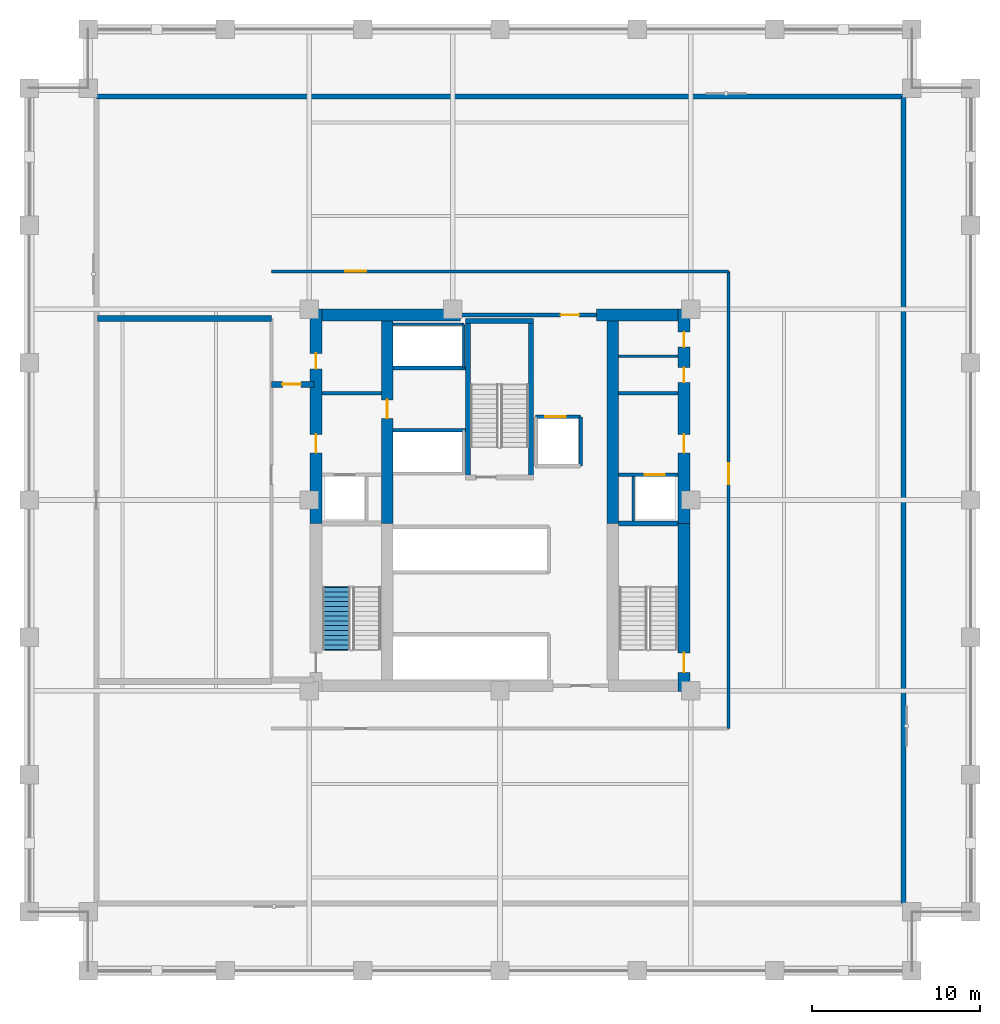
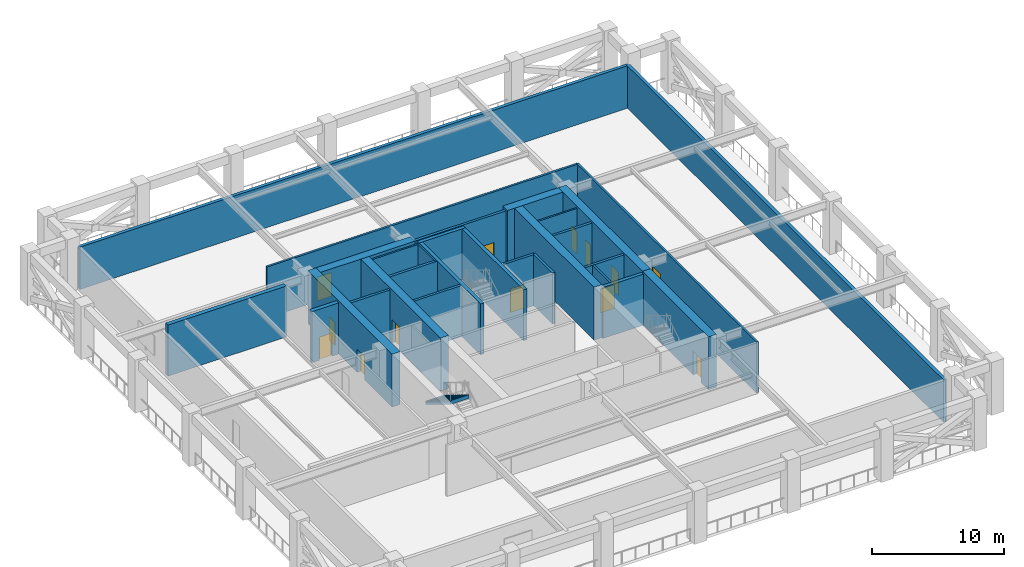
# One storey, part 3 of 11: 29 walls, 13 doors, 1 stair flight, 13 openings, 1 element without a shape of its own.
"""IFC4 building model written with IfcOpenShell, lengths in metres."""

from ifc_helpers import new_model, si_unit, direction, frame, frame_2d, origin, place, context, subcontext, project, spatial, polyline, rectangle, outline, extrude, material, layer, layer_set, type_object, element, fill, aggregate, save


model = new_model("IFC4")

# Units and contexts
model_context = context("Model", 3, precision=1e-05, world=origin(), true_north=direction((0.0, 1.0)))
body_context = subcontext(model_context, "Body", "Model", "MODEL_VIEW")
ifc_project = project(units=[si_unit("LENGTHUNIT", "METRE"), si_unit("AREAUNIT", "SQUARE_METRE"), si_unit("VOLUMEUNIT", "CUBIC_METRE"), si_unit("PLANEANGLEUNIT", "RADIAN"), si_unit("MASSUNIT", "GRAM", prefix="KILO")], contexts=[model_context])

# Site, building, storey
site_placement = place(None, origin())
site = spatial("IfcSite", under=ifc_project, at=site_placement, CompositionType="ELEMENT")
building_placement = place(site_placement, origin())
building = spatial("IfcBuilding", under=site, at=building_placement, Name="Nhamokura Convention Tower", CompositionType="ELEMENT")
storey_placement = place(building_placement, frame((0.0, 0.0, 77.35009765625)))
storey = spatial("IfcBuildingStorey", under=building, at=storey_placement, Name="L18", CompositionType="ELEMENT", Elevation=77.35009765625)

# Walls
ifc_material_1 = material(Name="Moisture-resistant tile-backer partition", Category="masonry")
ifc_layer_1 = layer(ifc_material_1, 0.139892578125)
ifc_layer_set_1 = layer_set([ifc_layer_1], Name="BathroomWetWall_140")
wall_type_1 = type_object("IfcWallType", Name="BathroomWetWall_140", PredefinedType="STANDARD", material=ifc_layer_set_1)
wall_1_placement = place(storey_placement, frame((39.06005859375, 40.550048828125, 0.0), z_axis=(0.0, 0.0, 1.0), x_axis=(1.0, 0.0, 0.0)))
element("IfcWall", 1, at=wall_1_placement, inside=storey, type_object=wall_type_1, Name="L18 Wall INT-L18-CWNE", PredefinedType="STANDARD", context=body_context, shape_type="SweptSolid", body=[
    extrude(rectangle(XDim=3.530029296875, YDim=0.139892578125, at=frame_2d((1.76513671875, 0.0))), origin(), (0.0, 0.0, 1.0), 4.719970703125),
])
ifc_material_2 = material(Name="Bronze-pigmented precast concrete C45/55", Category="concrete")
ifc_layer_2 = layer(ifc_material_2, 0.280029296875)
ifc_layer_set_2 = layer_set([ifc_layer_2], Name="BronzePrecastSpandrel_280")
wall_type_2 = type_object("IfcWallType", Name="BronzePrecastSpandrel_280", PredefinedType="USERDEFINED", material=ifc_layer_set_2)
for number, where, z_axis, x_axis, name in (
    (2, (56.0, 56.0, 0.0), (0.0, 0.0, 1.0), (0.0, -1.0, 0.0), "L18 Refuge Deck Enclosure Wall E"),
    (3, (8.0, 56.0, 0.0), (0.0, 0.0, 1.0), (1.0, 0.0, 0.0), "L18 Refuge Deck Enclosure Wall N"),
):
    element("IfcWall", number, at=place(storey_placement, frame(where, z_axis=z_axis, x_axis=x_axis)), inside=storey, type_object=wall_type_2, Name=name, ObjectType="SPANDREL_WALL", PredefinedType="USERDEFINED", context=body_context, shape_type="SweptSolid", body=[
        extrude(rectangle(XDim=48.0, YDim=0.280029296875, at=frame_2d((24.0, 0.0))), origin(), (0.0, 0.0, 1.0), 3.919921875),
    ])

# Wall, openings, doors
ifc_material_3 = material(Name="Concrete C70/85", Category="concrete")
ifc_layer_3 = layer(ifc_material_3, 0.699951171875)
ifc_layer_set_3 = layer_set([ifc_layer_3], Name="CoreShearWall_700")
wall_type_3 = type_object("IfcWallType", Name="CoreShearWall_700", PredefinedType="SHEAR", material=ifc_layer_set_3)
wall_2_placement = place(storey_placement, frame((21.06005859375, 30.60009765625, 0.0), z_axis=(0.0, 0.0, 1.0), x_axis=(0.0, 1.0, 0.0)))
wall_2 = element("IfcWall", 4, at=wall_2_placement, inside=storey, type_object=wall_type_3, Name="L18 Core Shear Wall CW-WN", PredefinedType="SHEAR", context=body_context, shape_type="SweptSolid", body=[
    extrude(rectangle(XDim=12.75, YDim=0.699951171875, at=frame_2d((6.375, 0.0))), origin(), (0.0, 0.0, 1.0), 4.89990234375),
])
opening_1_placement = place(wall_2_placement, frame((4.199951171875, 0.0, 0.0)))
opening_1 = element("IfcOpeningElement", 5, at=opening_1_placement, cuts=wall_2, Name="Opening D-05", PredefinedType="OPENING", context=body_context, shape_type="SweptSolid", body=[
    extrude(rectangle(XDim=1.10009765625, YDim=2.14990234375, at=frame_2d((0.550048828125, 1.074951171875))), frame((0.0, 0.35986328125, 0.0), z_axis=(0.0, -1.0, 0.0), x_axis=(1.0, 0.0, 0.0)), (0.0, 0.0, 1.0), 0.719970703125),
])
opening_2_placement = place(wall_2_placement, frame((9.199951171875, 0.0, 0.0)))
opening_2 = element("IfcOpeningElement", 6, at=opening_2_placement, cuts=wall_2, Name="Opening D-10", PredefinedType="OPENING", context=body_context, shape_type="SweptSolid", body=[
    extrude(rectangle(XDim=0.919921875, YDim=2.10009765625, at=frame_2d((0.4599609375, 1.050048828125))), frame((0.0, 0.35986328125, 0.0), z_axis=(0.0, -1.0, 0.0), x_axis=(1.0, 0.0, 0.0)), (0.0, 0.0, 1.0), 0.719970703125),
])
ifc_material_4 = material(Name="Solid oak hardwood", Category="wood")
door_type_1 = type_object("IfcDoorType", Name="AccessibleWCDoor_920", OperationType="NOTDEFINED", PredefinedType="DOOR", material=ifc_material_4)
door_1_placement = place(opening_2_placement, origin())
door_1 = element("IfcDoor", 7, at=door_1_placement, inside=storey, type_object=door_type_1, Name="L18 Core Door INT-L18-D-AWC", OperationType="SINGLE_SWING_LEFT", OverallHeight=2.10009765625, OverallWidth=0.919921875, PredefinedType="DOOR", context=body_context, shape_type="SweptSolid", body=[
    extrude(rectangle(XDim=0.919921875, YDim=2.10009765625, at=frame_2d((0.4599609375, 1.050048828125))), frame((0.0, 0.02490234375, 0.0), z_axis=(0.0, -1.0, 0.0), x_axis=(1.0, 0.0, 0.0)), (0.0, 0.0, 1.0), 0.050048828125),
])
fill(opening_2, door_1)
ifc_material_5 = material(Name="Fire-rated steel door", Category="steel")
door_type_2 = type_object("IfcDoorType", Name="FireLobbyDoor_1100", OperationType="NOTDEFINED", PredefinedType="DOOR", material=ifc_material_5)
door_2_placement = place(opening_1_placement, origin())
door_2 = element("IfcDoor", 8, at=door_2_placement, inside=storey, type_object=door_type_2, Name="L18 Core Door INT-L18-D-FFLW", OperationType="SINGLE_SWING_RIGHT", OverallHeight=2.14990234375, OverallWidth=1.10009765625, PredefinedType="DOOR", context=body_context, shape_type="SweptSolid", body=[
    extrude(rectangle(XDim=1.10009765625, YDim=2.14990234375, at=frame_2d((0.550048828125, 1.074951171875))), frame((0.0, 0.02490234375, 0.0), z_axis=(0.0, -1.0, 0.0), x_axis=(1.0, 0.0, 0.0)), (0.0, 0.0, 1.0), 0.050048828125),
])
fill(opening_1, door_2)

# Wall, opening, door
wall_3_placement = place(storey_placement, frame((42.93994140625, 20.60009765625, 0.0), z_axis=(0.0, 0.0, 1.0), x_axis=(0.0, 1.0, 0.0)))
wall_3 = element("IfcWall", 9, at=wall_3_placement, inside=storey, type_object=wall_type_3, Name="L18 Core Shear Wall CW-ES", PredefinedType="SHEAR", context=body_context, shape_type="SweptSolid", body=[
    extrude(rectangle(XDim=10.0, YDim=0.699951171875, at=frame_2d((5.0, 0.0))), origin(), (0.0, 0.0, 1.0), 4.89990234375),
])
opening_3_placement = place(wall_3_placement, frame((1.14990234375, 0.0, 0.0)))
opening_3 = element("IfcOpeningElement", 10, at=opening_3_placement, cuts=wall_3, Name="Opening D-04", PredefinedType="OPENING", context=body_context, shape_type="SweptSolid", body=[
    extrude(rectangle(XDim=1.14990234375, YDim=2.14990234375, at=frame_2d((0.574951171875, 1.074951171875))), frame((0.0, 0.35986328125, 0.0), z_axis=(0.0, -1.0, 0.0), x_axis=(1.0, 0.0, 0.0)), (0.0, 0.0, 1.0), 0.719970703125),
])
ifc_material_6 = material(Name="Fire-rated steel door", Category="steel")
door_type_3 = type_object("IfcDoorType", Name="StairSmokeDoor_1150", OperationType="NOTDEFINED", PredefinedType="DOOR", material=ifc_material_6)
door_3_placement = place(opening_3_placement, origin())
door_3 = element("IfcDoor", 11, at=door_3_placement, inside=storey, type_object=door_type_3, Name="L18 Core Door INT-L18-D-ST02", OperationType="SINGLE_SWING_RIGHT", OverallHeight=2.14990234375, OverallWidth=1.14990234375, PredefinedType="DOOR", context=body_context, shape_type="SweptSolid", body=[
    extrude(rectangle(XDim=1.14990234375, YDim=2.14990234375, at=frame_2d((0.574951171875, 1.074951171875))), frame((0.0, 0.02490234375, 0.0), z_axis=(0.0, -1.0, 0.0), x_axis=(1.0, 0.0, 0.0)), (0.0, 0.0, 1.0), 0.050048828125),
])
fill(opening_3, door_3)

# Wall, openings, doors
wall_4_placement = place(storey_placement, frame((42.93994140625, 30.60009765625, 0.0), z_axis=(0.0, 0.0, 1.0), x_axis=(0.0, 1.0, 0.0)))
wall_4 = element("IfcWall", 12, at=wall_4_placement, inside=storey, type_object=wall_type_3, Name="L18 Core Shear Wall CW-EN", PredefinedType="SHEAR", context=body_context, shape_type="SweptSolid", body=[
    extrude(rectangle(XDim=12.75, YDim=0.699951171875, at=frame_2d((6.375, 0.0))), origin(), (0.0, 0.0, 1.0), 4.89990234375),
])
opening_4_placement = place(wall_4_placement, frame((4.199951171875, 0.0, 0.0)))
opening_4 = element("IfcOpeningElement", 13, at=opening_4_placement, cuts=wall_4, Name="Opening D-05", PredefinedType="OPENING", context=body_context, shape_type="SweptSolid", body=[
    extrude(rectangle(XDim=1.10009765625, YDim=2.14990234375, at=frame_2d((0.550048828125, 1.074951171875))), frame((0.0, 0.35986328125, 0.0), z_axis=(0.0, -1.0, 0.0), x_axis=(1.0, 0.0, 0.0)), (0.0, 0.0, 1.0), 0.719970703125),
])
opening_5_placement = place(wall_4_placement, frame((8.39990234375, 0.0, 0.0)))
opening_5 = element("IfcOpeningElement", 14, at=opening_5_placement, cuts=wall_4, Name="Opening D-11", PredefinedType="OPENING", context=body_context, shape_type="SweptSolid", body=[
    extrude(rectangle(XDim=0.8798828125, YDim=2.10009765625, at=frame_2d((0.43994140625, 1.050048828125))), frame((0.0, 0.35986328125, 0.0), z_axis=(0.0, -1.0, 0.0), x_axis=(1.0, 0.0, 0.0)), (0.0, 0.0, 1.0), 0.719970703125),
])
opening_6_placement = place(wall_4_placement, frame((10.5, 0.0, 0.0)))
opening_6 = element("IfcOpeningElement", 15, at=opening_6_placement, cuts=wall_4, Name="Opening D-11", PredefinedType="OPENING", context=body_context, shape_type="SweptSolid", body=[
    extrude(rectangle(XDim=0.8798828125, YDim=2.10009765625, at=frame_2d((0.43994140625, 1.050048828125))), frame((0.0, 0.35986328125, 0.0), z_axis=(0.0, -1.0, 0.0), x_axis=(1.0, 0.0, 0.0)), (0.0, 0.0, 1.0), 0.719970703125),
])
ifc_material_7 = material(Name="Solid oak hardwood", Category="wood")
door_type_4 = type_object("IfcDoorType", Name="BathroomDoor_880", OperationType="NOTDEFINED", PredefinedType="DOOR", material=ifc_material_7)
door_4_placement = place(opening_5_placement, origin())
door_4 = element("IfcDoor", 16, at=door_4_placement, inside=storey, type_object=door_type_4, Name="L18 Core Door INT-L18-D-MWC", OperationType="SINGLE_SWING_RIGHT", OverallHeight=2.10009765625, OverallWidth=0.8798828125, PredefinedType="DOOR", context=body_context, shape_type="SweptSolid", body=[
    extrude(rectangle(XDim=0.8798828125, YDim=2.10009765625, at=frame_2d((0.43994140625, 1.050048828125))), frame((0.0, 0.02490234375, 0.0), z_axis=(0.0, -1.0, 0.0), x_axis=(1.0, 0.0, 0.0)), (0.0, 0.0, 1.0), 0.050048828125),
])
fill(opening_5, door_4)
door_5_placement = place(opening_6_placement, origin())
door_5 = element("IfcDoor", 17, at=door_5_placement, inside=storey, type_object=door_type_4, Name="L18 Core Door INT-L18-D-FWC", OperationType="SINGLE_SWING_LEFT", OverallHeight=2.10009765625, OverallWidth=0.8798828125, PredefinedType="DOOR", context=body_context, shape_type="SweptSolid", body=[
    extrude(rectangle(XDim=0.8798828125, YDim=2.10009765625, at=frame_2d((0.43994140625, 1.050048828125))), frame((0.0, 0.02490234375, 0.0), z_axis=(0.0, -1.0, 0.0), x_axis=(1.0, 0.0, 0.0)), (0.0, 0.0, 1.0), 0.050048828125),
])
fill(opening_6, door_5)
door_6_placement = place(opening_4_placement, origin())
door_6 = element("IfcDoor", 18, at=door_6_placement, inside=storey, type_object=door_type_2, Name="L18 Core Door INT-L18-D-FFLE", OperationType="SINGLE_SWING_LEFT", OverallHeight=2.14990234375, OverallWidth=1.10009765625, PredefinedType="DOOR", context=body_context, shape_type="SweptSolid", body=[
    extrude(rectangle(XDim=1.10009765625, YDim=2.14990234375, at=frame_2d((0.550048828125, 1.074951171875))), frame((0.0, 0.02490234375, 0.0), z_axis=(0.0, -1.0, 0.0), x_axis=(1.0, 0.0, 0.0)), (0.0, 0.0, 1.0), 0.050048828125),
])
fill(opening_4, door_6)

# Walls
wall_5_placement = place(storey_placement, frame((21.409912109375, 43.0, 0.0), z_axis=(0.0, 0.0, 1.0), x_axis=(1.0, 0.0, 0.0)))
element("IfcWall", 19, at=wall_5_placement, inside=storey, type_object=wall_type_3, Name="L18 Core Shear Wall CW-N1", PredefinedType="SHEAR", context=body_context, shape_type="SweptSolid", body=[
    extrude(rectangle(XDim=8.239990234375, YDim=0.699951171875, at=frame_2d((4.1201171875, 0.0))), origin(), (0.0, 0.0, 1.0), 4.89990234375),
])
wall_6_placement = place(storey_placement, frame((37.75, 43.0, 0.0), z_axis=(0.0, 0.0, 1.0), x_axis=(1.0, 0.0, 0.0)))
element("IfcWall", 20, at=wall_6_placement, inside=storey, type_object=wall_type_3, Name="L18 Core Shear Wall CW-N2", PredefinedType="SHEAR", context=body_context, shape_type="SweptSolid", body=[
    extrude(rectangle(XDim=4.840087890625, YDim=0.699951171875, at=frame_2d((2.419921875, 0.0))), origin(), (0.0, 0.0, 1.0), 4.89990234375),
])

# Wall, opening, door
wall_7_placement = place(storey_placement, frame((25.2900390625, 30.60009765625, 0.0), z_axis=(0.0, 0.0, 1.0), x_axis=(0.0, 1.0, 0.0)))
wall_7 = element("IfcWall", 21, at=wall_7_placement, inside=storey, type_object=wall_type_3, Name="L18 Core Shear Wall CW-IWN", PredefinedType="SHEAR", context=body_context, shape_type="SweptSolid", body=[
    extrude(rectangle(XDim=12.0498046875, YDim=0.699951171875, at=frame_2d((6.02490234375, 0.0))), origin(), (0.0, 0.0, 1.0), 4.89990234375),
])
opening_7_placement = place(wall_7_placement, frame((6.25, 0.0, 0.0)))
opening_7 = element("IfcOpeningElement", 22, at=opening_7_placement, cuts=wall_7, Name="Opening D-05", PredefinedType="OPENING", context=body_context, shape_type="SweptSolid", body=[
    extrude(rectangle(XDim=1.10009765625, YDim=2.14990234375, at=frame_2d((0.550048828125, 1.074951171875))), frame((0.0, 0.35986328125, 0.0), z_axis=(0.0, -1.0, 0.0), x_axis=(1.0, 0.0, 0.0)), (0.0, 0.0, 1.0), 0.719970703125),
])
door_7_placement = place(opening_7_placement, origin())
door_7 = element("IfcDoor", 23, at=door_7_placement, inside=storey, type_object=door_type_2, Name="L18 Core Door INT-L18-D-B3LOB", OperationType="SINGLE_SWING_LEFT", OverallHeight=2.14990234375, OverallWidth=1.10009765625, PredefinedType="DOOR", context=body_context, shape_type="SweptSolid", body=[
    extrude(rectangle(XDim=1.10009765625, YDim=2.14990234375, at=frame_2d((0.550048828125, 1.074951171875))), frame((0.0, 0.02490234375, 0.0), z_axis=(0.0, -1.0, 0.0), x_axis=(1.0, 0.0, 0.0)), (0.0, 0.0, 1.0), 0.050048828125),
])
fill(opening_7, door_7)

# Wall
wall_8_placement = place(storey_placement, frame((38.7099609375, 30.60009765625, 0.0), z_axis=(0.0, 0.0, 1.0), x_axis=(0.0, 1.0, 0.0)))
element("IfcWall", 24, at=wall_8_placement, inside=storey, type_object=wall_type_3, Name="L18 Core Shear Wall CW-IEN", PredefinedType="SHEAR", context=body_context, shape_type="SweptSolid", body=[
    extrude(rectangle(XDim=12.0498046875, YDim=0.699951171875, at=frame_2d((6.02490234375, 0.0))), origin(), (0.0, 0.0, 1.0), 4.89990234375),
])

# Wall, opening, door
ifc_material_8 = material(Name="Fire-rated gypsum and masonry partition", Category="masonry")
ifc_layer_4 = layer(ifc_material_8, 0.179931640625)
ifc_layer_set_4 = layer_set([ifc_layer_4], Name="CorridorRatedWall_180")
wall_type_4 = type_object("IfcWallType", Name="CorridorRatedWall_180", PredefinedType="STANDARD", material=ifc_layer_set_4)
wall_9_placement = place(storey_placement, frame((18.39990234375, 45.60009765625, 0.0), z_axis=(0.0, 0.0, 1.0), x_axis=(1.0, 0.0, 0.0)))
wall_9 = element("IfcWall", 25, at=wall_9_placement, inside=storey, type_object=wall_type_4, Name="L18 Wall INT-L18-CW-N00", PredefinedType="STANDARD", context=body_context, shape_type="SweptSolid", body=[
    extrude(rectangle(XDim=27.2001953125, YDim=0.179931640625, at=frame_2d((13.60009765625, 0.0))), origin(), (0.0, 0.0, 1.0), 4.719970703125),
])
opening_8_placement = place(wall_9_placement, frame((4.39990234375, 0.0, 0.0)))
opening_8 = element("IfcOpeningElement", 26, at=opening_8_placement, cuts=wall_9, Name="Opening D-12", PredefinedType="OPENING", context=body_context, shape_type="SweptSolid", body=[
    extrude(rectangle(XDim=1.25, YDim=2.199951171875, at=frame_2d((0.625, 1.10009765625))), frame((0.0, 0.099853515625, 0.0), z_axis=(0.0, -1.0, 0.0), x_axis=(1.0, 0.0, 0.0)), (0.0, 0.0, 1.0), 0.199951171875),
])
ifc_material_9 = material(Name="Fire-rated steel door", Category="steel")
door_type_5 = type_object("IfcDoorType", Name="PlantServiceDoor_1250", OperationType="NOTDEFINED", PredefinedType="DOOR", material=ifc_material_9)
door_8_placement = place(opening_8_placement, origin())
door_8 = element("IfcDoor", 27, at=door_8_placement, inside=storey, type_object=door_type_5, Name="L18 High-Altitude AHU Plant N01 Door", OperationType="SINGLE_SWING_LEFT", OverallHeight=2.199951171875, OverallWidth=1.25, PredefinedType="DOOR", context=body_context, shape_type="SweptSolid", body=[
    extrude(rectangle(XDim=1.25, YDim=2.199951171875, at=frame_2d((0.625, 1.10009765625))), frame((0.0, 0.02490234375, 0.0), z_axis=(0.0, -1.0, 0.0), x_axis=(1.0, 0.0, 0.0)), (0.0, 0.0, 1.0), 0.050048828125),
])
fill(opening_8, door_8)

wall_10_placement = place(storey_placement, frame((45.60009765625, 18.39990234375, 0.0), z_axis=(0.0, 0.0, 1.0), x_axis=(0.0, 1.0, 0.0)))
wall_10 = element("IfcWall", 28, at=wall_10_placement, inside=storey, type_object=wall_type_4, Name="L18 Wall INT-L18-CW-E00", PredefinedType="STANDARD", context=body_context, shape_type="SweptSolid", body=[
    extrude(rectangle(XDim=27.2001953125, YDim=0.179931640625, at=frame_2d((13.60009765625, 0.0))), origin(), (0.0, 0.0, 1.0), 4.719970703125),
])
opening_9_placement = place(wall_10_placement, frame((14.550048828125, 0.0, 0.0)))
opening_9 = element("IfcOpeningElement", 29, at=opening_9_placement, cuts=wall_10, Name="Opening D-12", PredefinedType="OPENING", context=body_context, shape_type="SweptSolid", body=[
    extrude(rectangle(XDim=1.25, YDim=2.199951171875, at=frame_2d((0.625, 1.10009765625))), frame((0.0, 0.099853515625, 0.0), z_axis=(0.0, -1.0, 0.0), x_axis=(1.0, 0.0, 0.0)), (0.0, 0.0, 1.0), 0.199951171875),
])
door_9_placement = place(opening_9_placement, origin())
door_9 = element("IfcDoor", 30, at=door_9_placement, inside=storey, type_object=door_type_5, Name="L18 Chilled-Water Heat Exchanger Plant E01 Door", OperationType="SINGLE_SWING_LEFT", OverallHeight=2.199951171875, OverallWidth=1.25, PredefinedType="DOOR", context=body_context, shape_type="SweptSolid", body=[
    extrude(rectangle(XDim=1.25, YDim=2.199951171875, at=frame_2d((0.625, 1.10009765625))), frame((0.0, 0.02490234375, 0.0), z_axis=(0.0, -1.0, 0.0), x_axis=(1.0, 0.0, 0.0)), (0.0, 0.0, 1.0), 0.050048828125),
])
fill(opening_9, door_9)

ifc_material_10 = material(Name="Autoclaved concrete blockwork", Category="masonry")
ifc_layer_5 = layer(ifc_material_10, 0.219970703125)
ifc_layer_set_5 = layer_set([ifc_layer_5], Name="FireLobbyWall_220")
wall_type_5 = type_object("IfcWallType", Name="FireLobbyWall_220", PredefinedType="STANDARD", material=ifc_layer_set_5)
wall_11_placement = place(storey_placement, frame((39.06005859375, 33.5, 0.0), z_axis=(0.0, 0.0, 1.0), x_axis=(1.0, 0.0, 0.0)))
wall_11 = element("IfcWall", 31, at=wall_11_placement, inside=storey, type_object=wall_type_5, Name="L18 Wall INT-L18-FFE-S", PredefinedType="STANDARD", context=body_context, shape_type="SweptSolid", body=[
    extrude(rectangle(XDim=3.530029296875, YDim=0.219970703125, at=frame_2d((1.76513671875, 0.0))), origin(), (0.0, 0.0, 1.0), 4.719970703125),
])
opening_10_placement = place(wall_11_placement, frame((1.550048828125, 0.0, 0.0)))
opening_10 = element("IfcOpeningElement", 32, at=opening_10_placement, cuts=wall_11, Name="Opening LD-02", PredefinedType="OPENING", context=body_context, shape_type="SweptSolid", body=[
    extrude(rectangle(XDim=1.199951171875, YDim=2.199951171875, at=frame_2d((0.60009765625, 1.10009765625))), frame((0.0, 0.119873046875, 0.0), z_axis=(0.0, -1.0, 0.0), x_axis=(1.0, 0.0, 0.0)), (0.0, 0.0, 1.0), 0.239990234375),
])
ifc_material_11 = material(Name="Anodised bronze stainless steel", Category="steel")
door_type_6 = type_object("IfcDoorType", Name="LiftLandingDoor_FireService", OperationType="DOUBLE_DOOR_SLIDING", PredefinedType="DOOR", material=ifc_material_11)
door_10_placement = place(opening_10_placement, origin())
door_10 = element("IfcDoor", 33, at=door_10_placement, inside=storey, type_object=door_type_6, Name="L18 Firefighting Lift LF-02 Door", OperationType="DOUBLE_DOOR_SLIDING", OverallHeight=2.199951171875, OverallWidth=1.199951171875, PredefinedType="DOOR", context=body_context, shape_type="SweptSolid", body=[
    extrude(rectangle(XDim=1.199951171875, YDim=2.199951171875, at=frame_2d((0.60009765625, 1.10009765625))), frame((0.0, 0.02490234375, 0.0), z_axis=(0.0, -1.0, 0.0), x_axis=(1.0, 0.0, 0.0)), (0.0, 0.0, 1.0), 0.050048828125),
])
fill(opening_10, door_10)

# Walls
for number, where, z_axis, x_axis, name in (
    (34, (21.409912109375, 38.35009765625, 0.0), (0.0, 0.0, 1.0), (1.0, 0.0, 0.0), "L18 Wall INT-L18-FFW-N"),
    (35, (39.06005859375, 38.35009765625, 0.0), (0.0, 0.0, 1.0), (1.0, 0.0, 0.0), "L18 Wall INT-L18-FFE-N"),
):
    element("IfcWall", number, at=place(storey_placement, frame(where, z_axis=z_axis, x_axis=x_axis)), inside=storey, type_object=wall_type_5, Name=name, PredefinedType="STANDARD", context=body_context, shape_type="SweptSolid", body=[
        extrude(rectangle(XDim=3.530029296875, YDim=0.219970703125, at=frame_2d((1.76513671875, 0.0))), origin(), (0.0, 0.0, 1.0), 4.719970703125),
    ])
for number, where, z_axis, x_axis, name in (
    (36, (25.64990234375, 36.14990234375, 0.0), (0.0, 0.0, 1.0), (1.0, 0.0, 0.0), "L18 Wall INT-L18-B3S"),
    (37, (25.64990234375, 39.85009765625, 0.0), (0.0, 0.0, 1.0), (1.0, 0.0, 0.0), "L18 Wall INT-L18-B3N"),
):
    element("IfcWall", number, at=place(storey_placement, frame(where, z_axis=z_axis, x_axis=x_axis)), inside=storey, type_object=wall_type_5, Name=name, PredefinedType="STANDARD", context=body_context, shape_type="SweptSolid", body=[
        extrude(rectangle(XDim=4.300048828125, YDim=0.219970703125, at=frame_2d((2.14990234375, 0.0))), origin(), (0.0, 0.0, 1.0), 4.719970703125),
    ])

# Wall, opening, door
wall_12_placement = place(storey_placement, frame((29.64990234375, 43.0, 0.0), z_axis=(0.0, 0.0, 1.0), x_axis=(1.0, 0.0, 0.0)))
wall_12 = element("IfcWall", 38, at=wall_12_placement, inside=storey, type_object=wall_type_5, Name="L18 Wall INT-L18-CPORT-N", PredefinedType="STANDARD", context=body_context, shape_type="SweptSolid", body=[
    extrude(rectangle(XDim=8.10009765625, YDim=0.219970703125, at=frame_2d((4.050048828125, 0.0))), origin(), (0.0, 0.0, 1.0), 4.719970703125),
])
opening_11_placement = place(wall_12_placement, frame((5.949951171875, 0.0, 0.0)))
opening_11 = element("IfcOpeningElement", 39, at=opening_11_placement, cuts=wall_12, Name="Opening D-05", PredefinedType="OPENING", context=body_context, shape_type="SweptSolid", body=[
    extrude(rectangle(XDim=1.10009765625, YDim=2.14990234375, at=frame_2d((0.550048828125, 1.074951171875))), frame((0.0, 0.119873046875, 0.0), z_axis=(0.0, -1.0, 0.0), x_axis=(1.0, 0.0, 0.0)), (0.0, 0.0, 1.0), 0.239990234375),
])
door_11_placement = place(opening_11_placement, origin())
door_11 = element("IfcDoor", 40, at=door_11_placement, inside=storey, type_object=door_type_2, Name="L18 North Core Lobby Portal Door", OperationType="SINGLE_SWING_RIGHT", OverallHeight=2.14990234375, OverallWidth=1.10009765625, PredefinedType="DOOR", context=body_context, shape_type="SweptSolid", body=[
    extrude(rectangle(XDim=1.10009765625, YDim=2.14990234375, at=frame_2d((0.550048828125, 1.074951171875))), frame((0.0, 0.02490234375, 0.0), z_axis=(0.0, -1.0, 0.0), x_axis=(1.0, 0.0, 0.0)), (0.0, 0.0, 1.0), 0.050048828125),
])
fill(opening_11, door_11)

wall_13_placement = place(storey_placement, frame((34.1201171875, 36.949951171875, 0.0), z_axis=(0.0, 0.0, 1.0), x_axis=(1.0, 0.0, 0.0)))
wall_13 = element("IfcWall", 41, at=wall_13_placement, inside=storey, type_object=wall_type_5, Name="L18 Wall INT-L18-LSN", PredefinedType="STANDARD", context=body_context, shape_type="SweptSolid", body=[
    extrude(rectangle(XDim=2.679931640625, YDim=0.219970703125, at=frame_2d((1.33984375, 0.0))), origin(), (0.0, 0.0, 1.0), 4.719970703125),
])
opening_12_placement = place(wall_13_placement, frame((0.580078125, 0.0, 0.0)))
opening_12 = element("IfcOpeningElement", 42, at=opening_12_placement, cuts=wall_13, Name="Opening LD-02", PredefinedType="OPENING", context=body_context, shape_type="SweptSolid", body=[
    extrude(rectangle(XDim=1.199951171875, YDim=2.199951171875, at=frame_2d((0.60009765625, 1.10009765625))), frame((0.0, 0.119873046875, 0.0), z_axis=(0.0, -1.0, 0.0), x_axis=(1.0, 0.0, 0.0)), (0.0, 0.0, 1.0), 0.239990234375),
])
door_12_placement = place(opening_12_placement, origin())
door_12 = element("IfcDoor", 43, at=door_12_placement, inside=storey, type_object=door_type_6, Name="L18 Service Lift LS-01 Door", OperationType="DOUBLE_DOOR_SLIDING", OverallHeight=2.199951171875, OverallWidth=1.199951171875, PredefinedType="DOOR", context=body_context, shape_type="SweptSolid", body=[
    extrude(rectangle(XDim=1.199951171875, YDim=2.199951171875, at=frame_2d((0.60009765625, 1.10009765625))), frame((0.0, 0.02490234375, 0.0), z_axis=(0.0, -1.0, 0.0), x_axis=(1.0, 0.0, 0.0)), (0.0, 0.0, 1.0), 0.050048828125),
])
fill(opening_12, door_12)

# Wall
wall_14_placement = place(storey_placement, frame((36.800048828125, 34.02001953125, 0.0), z_axis=(0.0, 0.0, 1.0), x_axis=(0.0, 1.0, 0.0)))
element("IfcWall", 44, at=wall_14_placement, inside=storey, type_object=wall_type_5, Name="L18 Wall INT-L18-LSE", PredefinedType="STANDARD", context=body_context, shape_type="SweptSolid", body=[
    extrude(rectangle(XDim=2.929931640625, YDim=0.219970703125, at=frame_2d((1.46484375, 0.0))), origin(), (0.0, 0.0, 1.0), 4.719970703125),
])

# Wall, opening, door
ifc_material_12 = material(Name="Concrete C50/60", Category="concrete")
ifc_layer_6 = layer(ifc_material_12, 0.35009765625)
ifc_layer_set_6 = layer_set([ifc_layer_6], Name="FirewallPlant_350")
wall_type_6 = type_object("IfcWallType", Name="FirewallPlant_350", PredefinedType="STANDARD", material=ifc_layer_set_6)
wall_15_placement = place(storey_placement, frame((18.39990234375, 38.8798828125, 0.0), z_axis=(0.0, 0.0, 1.0), x_axis=(1.0, 0.0, 0.0)))
wall_15 = element("IfcWall", 45, at=wall_15_placement, inside=storey, type_object=wall_type_6, Name="L18 Wall INT-L18-RLOB-N", PredefinedType="STANDARD", context=body_context, shape_type="SweptSolid", body=[
    extrude(rectangle(XDim=2.550048828125, YDim=0.35009765625, at=frame_2d((1.27490234375, 0.0))), origin(), (0.0, 0.0, 1.0), 4.719970703125),
])
opening_13_placement = place(wall_15_placement, frame((0.64990234375, 0.0, 0.0)))
opening_13 = element("IfcOpeningElement", 46, at=opening_13_placement, cuts=wall_15, Name="Opening D-05", PredefinedType="OPENING", context=body_context, shape_type="SweptSolid", body=[
    extrude(rectangle(XDim=1.10009765625, YDim=2.14990234375, at=frame_2d((0.550048828125, 1.074951171875))), frame((0.0, 0.18505859375, 0.0), z_axis=(0.0, -1.0, 0.0), x_axis=(1.0, 0.0, 0.0)), (0.0, 0.0, 1.0), 0.3701171875),
])
door_13_placement = place(opening_13_placement, origin())
door_13 = element("IfcDoor", 47, at=door_13_placement, inside=storey, type_object=door_type_2, Name="L18 Refuge Lobby North Door", OperationType="SINGLE_SWING_RIGHT", OverallHeight=2.14990234375, OverallWidth=1.10009765625, PredefinedType="DOOR", context=body_context, shape_type="SweptSolid", body=[
    extrude(rectangle(XDim=1.10009765625, YDim=2.14990234375, at=frame_2d((0.550048828125, 1.074951171875))), frame((0.0, 0.02490234375, 0.0), z_axis=(0.0, -1.0, 0.0), x_axis=(1.0, 0.0, 0.0)), (0.0, 0.0, 1.0), 0.050048828125),
])
fill(opening_13, door_13)

# Walls
wall_16_placement = place(storey_placement, frame((8.050048828125, 42.800048828125, 0.0), z_axis=(0.0, 0.0, 1.0), x_axis=(1.0, 0.0, 0.0)))
element("IfcWall", 48, at=wall_16_placement, inside=storey, type_object=wall_type_6, Name="L18 Wall INT-L18-RWT-W", PredefinedType="STANDARD", context=body_context, shape_type="SweptSolid", body=[
    extrude(rectangle(XDim=10.349853515625, YDim=0.35009765625, at=frame_2d((5.1748046875, 0.0))), origin(), (0.0, 0.0, 1.0), 4.719970703125),
])
ifc_material_13 = material(Name="Acoustic gypsum stud partition", Category="masonry")
ifc_layer_7 = layer(ifc_material_13, 0.14990234375)
ifc_layer_set_7 = layer_set([ifc_layer_7], Name="InteriorPartition_150")
wall_type_7 = type_object("IfcWallType", Name="InteriorPartition_150", PredefinedType="STANDARD", material=ifc_layer_set_7)
wall_17_placement = place(storey_placement, frame((39.919921875, 30.75, 0.0), z_axis=(0.0, 0.0, 1.0), x_axis=(0.0, 1.0, 0.0)))
element("IfcWall", 49, at=wall_17_placement, inside=storey, type_object=wall_type_7, Name="L18 Wall INT-L18-FF2-W", PredefinedType="STANDARD", context=body_context, shape_type="SweptSolid", body=[
    extrude(rectangle(XDim=2.64990234375, YDim=0.14990234375, at=frame_2d((1.324951171875, 0.0))), origin(), (0.0, 0.0, 1.0), 4.719970703125),
])
wall_18_placement = place(storey_placement, frame((25.64990234375, 42.449951171875, 0.0), z_axis=(0.0, 0.0, 1.0), x_axis=(1.0, 0.0, 0.0)))
element("IfcWall", 50, at=wall_18_placement, inside=storey, type_object=wall_type_7, Name="L18 Wall INT-L18-B3B-N", PredefinedType="STANDARD", context=body_context, shape_type="SweptSolid", body=[
    extrude(rectangle(XDim=4.2001953125, YDim=0.14990234375, at=frame_2d((2.10009765625, 0.0))), origin(), (0.0, 0.0, 1.0), 4.719970703125),
])
wall_19_placement = place(storey_placement, frame((29.85009765625, 39.85009765625, 0.0), z_axis=(0.0, 0.0, 1.0), x_axis=(0.0, 1.0, 0.0)))
element("IfcWall", 51, at=wall_19_placement, inside=storey, type_object=wall_type_7, Name="L18 Wall INT-L18-B3B-E", PredefinedType="STANDARD", context=body_context, shape_type="SweptSolid", body=[
    extrude(rectangle(XDim=2.599853515625, YDim=0.14990234375, at=frame_2d((1.2998046875, 0.0))), origin(), (0.0, 0.0, 1.0), 4.719970703125),
])
ifc_material_14 = material(Name="Concrete C50/60", Category="concrete")
ifc_layer_8 = layer(ifc_material_14, 0.300048828125)
ifc_layer_set_8 = layer_set([ifc_layer_8], Name="ShaftEnclosureWall_300")
wall_type_8 = type_object("IfcWallType", Name="ShaftEnclosureWall_300", PredefinedType="SHEAR", material=ifc_layer_set_8)
wall_20_placement = place(storey_placement, frame((39.06005859375, 30.60009765625, 0.0), z_axis=(0.0, 0.0, 1.0), x_axis=(1.0, 0.0, 0.0)))
element("IfcWall", 52, at=wall_20_placement, inside=storey, type_object=wall_type_8, Name="L18 Wall INT-L18-ST02-N", PredefinedType="SHEAR", context=body_context, shape_type="SweptSolid", body=[
    extrude(rectangle(XDim=3.530029296875, YDim=0.300048828125, at=frame_2d((1.76513671875, 0.0))), origin(), (0.0, 0.0, 1.0), 4.719970703125),
])
for number, where, z_axis, x_axis, name in (
    (53, (30.10009765625, 33.199951171875, 0.0), (0.0, 0.0, 1.0), (0.0, 1.0, 0.0), "L18 Wall INT-L18-ST03W"),
    (54, (33.85009765625, 33.199951171875, 0.0), (0.0, 0.0, 1.0), (0.0, 1.0, 0.0), "L18 Wall INT-L18-ST03E"),
):
    element("IfcWall", number, at=place(storey_placement, frame(where, z_axis=z_axis, x_axis=x_axis)), inside=storey, type_object=wall_type_8, Name=name, PredefinedType="SHEAR", context=body_context, shape_type="SweptSolid", body=[
        extrude(rectangle(XDim=9.60009765625, YDim=0.300048828125, at=frame_2d((4.800048828125, 0.0))), origin(), (0.0, 0.0, 1.0), 4.719970703125),
    ])
wall_21_placement = place(storey_placement, frame((29.949951171875, 42.64990234375, 0.0), z_axis=(0.0, 0.0, 1.0), x_axis=(1.0, 0.0, 0.0)))
element("IfcWall", 55, at=wall_21_placement, inside=storey, type_object=wall_type_8, Name="L18 Wall INT-L18-ST03N", PredefinedType="SHEAR", context=body_context, shape_type="SweptSolid", body=[
    extrude(rectangle(XDim=4.050048828125, YDim=0.300048828125, at=frame_2d((2.02490234375, 0.0))), origin(), (0.0, 0.0, 1.0), 4.719970703125),
])

# Stair, stair flight
ifc_material_15 = material(Name="Concrete C40/50", Category="concrete")
stair_type = type_object("IfcStairType", Name="TowerCoreStair_1650", PredefinedType="HALF_TURN_STAIR", material=ifc_material_15)
stair_placement = place(storey_placement, origin())
stair = element("IfcStair", 56, at=stair_placement, inside=storey, type_object=stair_type, Name="L18 West Core Smokeproof Stair ST-01", PredefinedType="HALF_TURN_STAIR")
ifc_material_16 = material(Name="Concrete C40/50", Category="concrete")
stair_flight_type = type_object("IfcStairFlightType", Name="TowerCoreStair_1650_Flight", PredefinedType="STRAIGHT", material=ifc_material_16)
stair_flight_placement = place(storey_placement, frame((22.27490234375, 26.804931640625, 2.449951171875), z_axis=(0.0, 0.0, 1.0), x_axis=(0.0, -1.0, 0.0)))
stair_flight = element("IfcStairFlight", 57, at=stair_flight_placement, type_object=stair_flight_type, Name="ST-01 flight 2", NumberOfRisers=14, NumberOfTreads=13, PredefinedType="STRAIGHT", RiserHeight=0.175, TreadLength=0.285, context=body_context, shape_type="SweptSolid", body=[
    extrude(outline(polyline([(-0.0419921875, 0.0), (0.0, 0.175048828125), (0.284912109375, 0.175048828125), (0.284912109375, 0.35009765625), (0.570068359375, 0.35009765625), (0.570068359375, 0.52490234375), (0.85498046875, 0.52490234375), (0.85498046875, 0.699951171875), (1.139892578125, 0.699951171875), (1.139892578125, 0.875), (1.425048828125, 0.875), (1.425048828125, 1.050048828125), (1.7099609375, 1.050048828125), (1.7099609375, 1.22509765625), (1.9951171875, 1.22509765625), (1.9951171875, 1.39990234375), (2.280029296875, 1.39990234375), (2.280029296875, 1.574951171875), (2.56494140625, 1.574951171875), (2.56494140625, 1.75), (2.85009765625, 1.75), (2.85009765625, 1.925048828125), (3.135009765625, 1.925048828125), (3.135009765625, 2.10009765625), (3.419921875, 2.10009765625), (3.419921875, 2.27490234375), (3.705078125, 2.27490234375), (3.705078125, 2.449951171875), (3.7470703125, 2.449951171875), (3.7470703125, 2.09912109375), (3.705078125, 2.09912109375), (0.286376953125, 0.0), (0.02001953125, -0.1298828125), (-0.0419921875, -0.1298828125), (-0.0419921875, 0.0)])), frame((0.0, 0.824951171875, 0.0), z_axis=(0.0, -1.0, 0.0), x_axis=(1.0, 0.0, 0.0)), (0.0, 0.0, 1.0), 1.64990234375),
])
aggregate(stair, [stair_flight])

save(model, "model.ifc")
